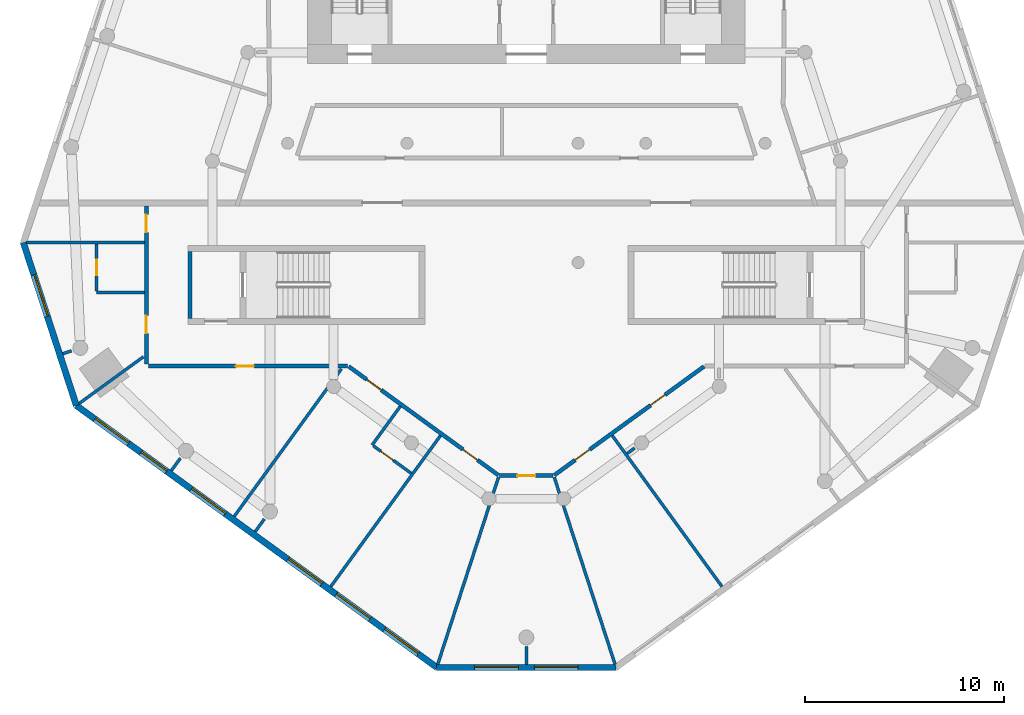
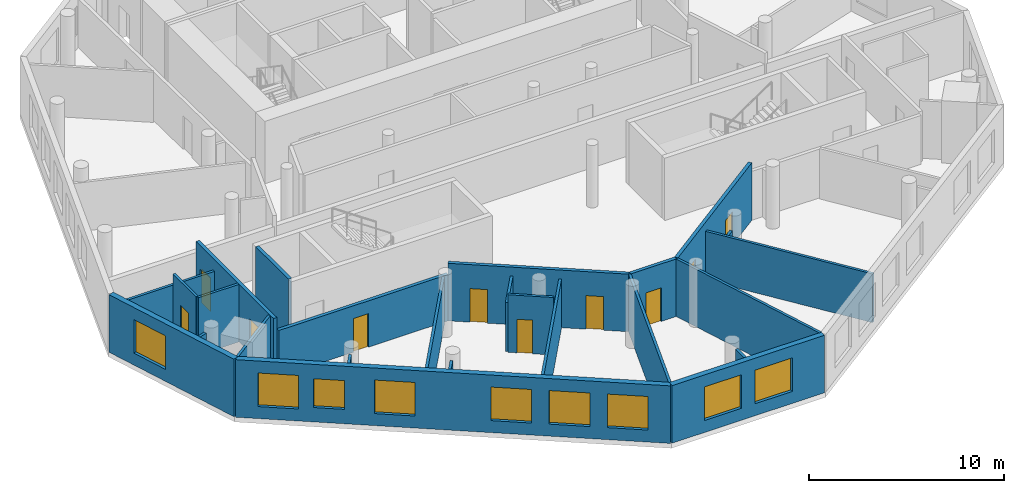
# One storey, part 2 of 8: 25 walls, 10 doors, 9 windows, 19 openings.
"""IFC4 building model written with IfcOpenShell, lengths in metres."""

from ifc_helpers import new_model, si_unit, direction, frame, frame_2d, origin, place, context, subcontext, project, spatial, rectangle, extrude, material, layer, layer_set, type_object, element, fill, save


model = new_model("IFC4")

# Units and contexts
model_context = context("Model", 3, precision=1e-05, world=origin(), true_north=direction((0.0, 1.0)))
body_context = subcontext(model_context, "Body", "Model", "MODEL_VIEW")
ifc_project = project(units=[si_unit("LENGTHUNIT", "METRE"), si_unit("AREAUNIT", "SQUARE_METRE"), si_unit("VOLUMEUNIT", "CUBIC_METRE"), si_unit("PLANEANGLEUNIT", "RADIAN"), si_unit("MASSUNIT", "GRAM", prefix="KILO")], contexts=[model_context])

# Site, building, storey
site_placement = place(None, origin())
site = spatial("IfcSite", under=ifc_project, at=site_placement, CompositionType="ELEMENT")
building_placement = place(site_placement, origin())
building = spatial("IfcBuilding", under=site, at=building_placement, Name="White Candle Pilgrim Tower", CompositionType="ELEMENT")
storey_placement = place(building_placement, frame((0.0, 0.0, 152.5)))
storey = spatial("IfcBuildingStorey", under=building, at=storey_placement, Name="L34", CompositionType="ELEMENT", Elevation=152.5)

# Wall
ifc_material_1 = material(Name="Concrete C60/75", Category="concrete")
ifc_layer_1 = layer(ifc_material_1, 0.199951171875)
ifc_layer_set_1 = layer_set([ifc_layer_1], Name="Core wall 200 mm Concrete C60/75")
wall_type_1 = type_object("IfcWallType", Name="Core wall 200 mm Concrete C60/75", PredefinedType="SHEAR", material=ifc_layer_set_1)
wall_1_placement = place(storey_placement, frame((53.10009765625, 58.199951171875, 0.0), z_axis=(0.0, 0.0, 1.0), x_axis=(0.0, 1.0, 0.0)))
element("IfcWall", 1, at=wall_1_placement, inside=storey, type_object=wall_type_1, Name="WL-L34-C03", PredefinedType="SHEAR", context=body_context, shape_type="SweptSolid", body=[
    extrude(rectangle(XDim=3.35009765625, YDim=0.199951171875, at=frame_2d((1.675048828125, 0.0))), origin(), (0.0, 0.0, 1.0), 3.89990234375),
])

# Wall, openings, doors
ifc_material_2 = material(Name="Gypsum board on steel studs", Category="steel")
ifc_layer_2 = layer(ifc_material_2, 0.199951171875)
ifc_layer_set_2 = layer_set([ifc_layer_2], Name="Corridor wall 200 mm EI 45")
wall_type_2 = type_object("IfcWallType", Name="Corridor wall 200 mm EI 45", PredefinedType="PARTITIONING", material=ifc_layer_set_2)
wall_2_placement = place(storey_placement, frame((78.93017578125, 55.781005859375, 0.0), z_axis=(0.0, 0.0, 1.0), x_axis=(-0.809011649892, -0.587792608272, 0.0)))
wall_2 = element("IfcWall", 2, at=wall_2_placement, inside=storey, type_object=wall_type_2, Name="WL-L34-P008", PredefinedType="PARTITIONING", context=body_context, shape_type="SweptSolid", body=[
    extrude(rectangle(XDim=9.306884765625, YDim=0.199951171875, at=frame_2d((4.6533203125, 0.0))), origin(), (0.0, 0.0, 1.0), 3.60009765625),
])
opening_1_placement = place(wall_2_placement, frame((7.10693359375, 0.0, 0.0)))
opening_1 = element("IfcOpeningElement", 3, at=opening_1_placement, cuts=wall_2, Name="Opening T10-108", PredefinedType="OPENING", context=body_context, shape_type="SweptSolid", body=[
    extrude(rectangle(XDim=0.89990234375, YDim=2.10009765625, at=frame_2d((0.449951171875, 1.050048828125))), frame((0.0, 0.10986328125, 0.0), z_axis=(0.0, -1.0, 0.0), x_axis=(1.0, 0.0, 0.0)), (0.0, 0.0, 1.0), 0.219970703125),
])
opening_2_placement = place(wall_2_placement, frame((2.421142578125, 0.0, 0.0)))
opening_2 = element("IfcOpeningElement", 4, at=opening_2_placement, cuts=wall_2, Name="Opening T10-109", PredefinedType="OPENING", context=body_context, shape_type="SweptSolid", body=[
    extrude(rectangle(XDim=0.89990234375, YDim=2.10009765625, at=frame_2d((0.449951171875, 1.050048828125))), frame((0.0, 0.10986328125, 0.0), z_axis=(0.0, -1.0, 0.0), x_axis=(1.0, 0.0, 0.0)), (0.0, 0.0, 1.0), 0.219970703125),
])
ifc_material_3 = material(Name="Steel door leaf", Category="steel")
door_type_1 = type_object("IfcDoorType", Name="Fire door 900 x 2100 EI 30", OperationType="NOTDEFINED", PredefinedType="DOOR", material=ifc_material_3)
door_1_placement = place(opening_1_placement, origin())
door_1 = element("IfcDoor", 5, at=door_1_placement, inside=storey, type_object=door_type_1, Name="Door T10-108", OperationType="SINGLE_SWING_RIGHT", OverallHeight=2.10009765625, OverallWidth=0.89990234375, PredefinedType="DOOR", context=body_context, shape_type="SweptSolid", body=[
    extrude(rectangle(XDim=0.89990234375, YDim=2.10009765625, at=frame_2d((0.449951171875, 1.050048828125))), frame((0.0, 0.02490234375, 0.0), z_axis=(0.0, -1.0, 0.0), x_axis=(1.0, 0.0, 0.0)), (0.0, 0.0, 1.0), 0.050048828125),
])
fill(opening_1, door_1)
door_2_placement = place(opening_2_placement, origin())
door_2 = element("IfcDoor", 6, at=door_2_placement, inside=storey, type_object=door_type_1, Name="Door T10-109", OperationType="SINGLE_SWING_LEFT", OverallHeight=2.10009765625, OverallWidth=0.89990234375, PredefinedType="DOOR", context=body_context, shape_type="SweptSolid", body=[
    extrude(rectangle(XDim=0.89990234375, YDim=2.10009765625, at=frame_2d((0.449951171875, 1.050048828125))), frame((0.0, 0.02490234375, 0.0), z_axis=(0.0, -1.0, 0.0), x_axis=(1.0, 0.0, 0.0)), (0.0, 0.0, 1.0), 0.050048828125),
])
fill(opening_2, door_2)

# Wall, opening, door
wall_3_placement = place(storey_placement, frame((71.342041015625, 50.29150390625, 0.0), z_axis=(0.0, 0.0, 1.0), x_axis=(-1.0, 0.0, 0.0)))
wall_3 = element("IfcWall", 7, at=wall_3_placement, inside=storey, type_object=wall_type_2, Name="WL-L34-P009", PredefinedType="PARTITIONING", context=body_context, shape_type="SweptSolid", body=[
    extrude(rectangle(XDim=2.68408203125, YDim=0.199951171875, at=frame_2d((1.342041015625, 0.0))), origin(), (0.0, 0.0, 1.0), 3.60009765625),
])
opening_3_placement = place(wall_3_placement, frame((0.89208984375, 0.0, 0.0)))
opening_3 = element("IfcOpeningElement", 8, at=opening_3_placement, cuts=wall_3, Name="Opening T10-107", PredefinedType="OPENING", context=body_context, shape_type="SweptSolid", body=[
    extrude(rectangle(XDim=0.89990234375, YDim=2.10009765625, at=frame_2d((0.449951171875, 1.050048828125))), frame((0.0, 0.10986328125, 0.0), z_axis=(0.0, -1.0, 0.0), x_axis=(1.0, 0.0, 0.0)), (0.0, 0.0, 1.0), 0.219970703125),
])
door_3_placement = place(opening_3_placement, origin())
door_3 = element("IfcDoor", 9, at=door_3_placement, inside=storey, type_object=door_type_1, Name="Door T10-107", OperationType="SINGLE_SWING_LEFT", OverallHeight=2.10009765625, OverallWidth=0.89990234375, PredefinedType="DOOR", context=body_context, shape_type="SweptSolid", body=[
    extrude(rectangle(XDim=0.89990234375, YDim=2.10009765625, at=frame_2d((0.449951171875, 1.050048828125))), frame((0.0, 0.02490234375, 0.0), z_axis=(0.0, -1.0, 0.0), x_axis=(1.0, 0.0, 0.0)), (0.0, 0.0, 1.0), 0.050048828125),
])
fill(opening_3, door_3)

# Wall, openings, doors
wall_4_placement = place(storey_placement, frame((68.59912109375, 50.310546875, 0.0), z_axis=(0.0, 0.0, 1.0), x_axis=(-0.809011649892, 0.587792608272, 0.0)))
wall_4 = element("IfcWall", 10, at=wall_4_placement, inside=storey, type_object=wall_type_2, Name="WL-L34-P010", PredefinedType="PARTITIONING", context=body_context, shape_type="SweptSolid", body=[
    extrude(rectangle(XDim=9.306884765625, YDim=0.199951171875, at=frame_2d((4.6533203125, 0.0))), origin(), (0.0, 0.0, 1.0), 3.60009765625),
])
opening_4_placement = place(wall_4_placement, frame((7.285400390625, 0.0, 0.0)))
opening_4 = element("IfcOpeningElement", 11, at=opening_4_placement, cuts=wall_4, Name="Opening T10-105", PredefinedType="OPENING", context=body_context, shape_type="SweptSolid", body=[
    extrude(rectangle(XDim=0.89990234375, YDim=2.10009765625, at=frame_2d((0.449951171875, 1.050048828125))), frame((0.0, 0.10986328125, 0.0), z_axis=(0.0, -1.0, 0.0), x_axis=(1.0, 0.0, 0.0)), (0.0, 0.0, 1.0), 0.219970703125),
])
opening_5_placement = place(wall_4_placement, frame((1.299560546875, 0.0, 0.0)))
opening_5 = element("IfcOpeningElement", 12, at=opening_5_placement, cuts=wall_4, Name="Opening T10-106", PredefinedType="OPENING", context=body_context, shape_type="SweptSolid", body=[
    extrude(rectangle(XDim=0.89990234375, YDim=2.10009765625, at=frame_2d((0.449951171875, 1.050048828125))), frame((0.0, 0.10986328125, 0.0), z_axis=(0.0, -1.0, 0.0), x_axis=(1.0, 0.0, 0.0)), (0.0, 0.0, 1.0), 0.219970703125),
])
door_4_placement = place(opening_4_placement, origin())
door_4 = element("IfcDoor", 13, at=door_4_placement, inside=storey, type_object=door_type_1, Name="Door T10-105", OperationType="SINGLE_SWING_LEFT", OverallHeight=2.10009765625, OverallWidth=0.89990234375, PredefinedType="DOOR", context=body_context, shape_type="SweptSolid", body=[
    extrude(rectangle(XDim=0.89990234375, YDim=2.10009765625, at=frame_2d((0.449951171875, 1.050048828125))), frame((0.0, 0.02490234375, 0.0), z_axis=(0.0, -1.0, 0.0), x_axis=(1.0, 0.0, 0.0)), (0.0, 0.0, 1.0), 0.050048828125),
])
fill(opening_4, door_4)
door_5_placement = place(opening_5_placement, origin())
door_5 = element("IfcDoor", 14, at=door_5_placement, inside=storey, type_object=door_type_1, Name="Door T10-106", OperationType="SINGLE_SWING_RIGHT", OverallHeight=2.10009765625, OverallWidth=0.89990234375, PredefinedType="DOOR", context=body_context, shape_type="SweptSolid", body=[
    extrude(rectangle(XDim=0.89990234375, YDim=2.10009765625, at=frame_2d((0.449951171875, 1.050048828125))), frame((0.0, 0.02490234375, 0.0), z_axis=(0.0, -1.0, 0.0), x_axis=(1.0, 0.0, 0.0)), (0.0, 0.0, 1.0), 0.050048828125),
])
fill(opening_5, door_5)

# Wall, opening, door
wall_5_placement = place(storey_placement, frame((61.010986328125, 55.800048828125, 0.0), z_axis=(0.0, 0.0, 1.0), x_axis=(-1.0, 0.0, 0.0)))
wall_5 = element("IfcWall", 15, at=wall_5_placement, inside=storey, type_object=wall_type_2, Name="WL-L34-P011", PredefinedType="PARTITIONING", context=body_context, shape_type="SweptSolid", body=[
    extrude(rectangle(XDim=10.010986328125, YDim=0.199951171875, at=frame_2d((5.00537109375, 0.0))), origin(), (0.0, 0.0, 1.0), 2.89990234375),
])
opening_6_placement = place(wall_5_placement, frame((4.70849609375, 0.0, 0.0)))
opening_6 = element("IfcOpeningElement", 16, at=opening_6_placement, cuts=wall_5, Name="Opening T10-103", PredefinedType="OPENING", context=body_context, shape_type="SweptSolid", body=[
    extrude(rectangle(XDim=0.89990234375, YDim=2.10009765625, at=frame_2d((0.449951171875, 1.050048828125))), frame((0.0, 0.10986328125, 0.0), z_axis=(0.0, -1.0, 0.0), x_axis=(1.0, 0.0, 0.0)), (0.0, 0.0, 1.0), 0.219970703125),
])
door_6_placement = place(opening_6_placement, origin())
door_6 = element("IfcDoor", 17, at=door_6_placement, inside=storey, type_object=door_type_1, Name="Door T10-103", OperationType="SINGLE_SWING_LEFT", OverallHeight=2.10009765625, OverallWidth=0.89990234375, PredefinedType="DOOR", context=body_context, shape_type="SweptSolid", body=[
    extrude(rectangle(XDim=0.89990234375, YDim=2.10009765625, at=frame_2d((0.449951171875, 1.050048828125))), frame((0.0, 0.02490234375, 0.0), z_axis=(0.0, -1.0, 0.0), x_axis=(1.0, 0.0, 0.0)), (0.0, 0.0, 1.0), 0.050048828125),
])
fill(opening_6, door_6)

# Wall, openings, doors
wall_6_placement = place(storey_placement, frame((50.89990234375, 55.89990234375, 0.0), z_axis=(0.0, 0.0, 1.0), x_axis=(0.0, 1.0, 0.0)))
wall_6 = element("IfcWall", 18, at=wall_6_placement, inside=storey, type_object=wall_type_2, Name="WL-L34-P012", PredefinedType="PARTITIONING", context=body_context, shape_type="SweptSolid", body=[
    extrude(rectangle(XDim=7.9501953125, YDim=0.199951171875, at=frame_2d((3.97509765625, 0.0))), origin(), (0.0, 0.0, 1.0), 3.60009765625),
])
opening_7_placement = place(wall_6_placement, frame((1.537841796875, 0.0, 0.0)))
opening_7 = element("IfcOpeningElement", 19, at=opening_7_placement, cuts=wall_6, Name="Opening T10-102", PredefinedType="OPENING", context=body_context, shape_type="SweptSolid", body=[
    extrude(rectangle(XDim=0.89990234375, YDim=2.10009765625, at=frame_2d((0.449951171875, 1.050048828125))), frame((0.0, 0.10986328125, 0.0), z_axis=(0.0, -1.0, 0.0), x_axis=(1.0, 0.0, 0.0)), (0.0, 0.0, 1.0), 0.219970703125),
])
opening_8_placement = place(wall_6_placement, frame((6.613525390625, 0.0, 0.0)))
opening_8 = element("IfcOpeningElement", 20, at=opening_8_placement, cuts=wall_6, Name="Opening T10-117", PredefinedType="OPENING", context=body_context, shape_type="SweptSolid", body=[
    extrude(rectangle(XDim=0.89990234375, YDim=2.10009765625, at=frame_2d((0.449951171875, 1.050048828125))), frame((0.0, 0.10986328125, 0.0), z_axis=(0.0, -1.0, 0.0), x_axis=(1.0, 0.0, 0.0)), (0.0, 0.0, 1.0), 0.219970703125),
])
door_7_placement = place(opening_7_placement, origin())
door_7 = element("IfcDoor", 21, at=door_7_placement, inside=storey, type_object=door_type_1, Name="Door T10-102", OperationType="SINGLE_SWING_RIGHT", OverallHeight=2.10009765625, OverallWidth=0.89990234375, PredefinedType="DOOR", context=body_context, shape_type="SweptSolid", body=[
    extrude(rectangle(XDim=0.89990234375, YDim=2.10009765625, at=frame_2d((0.449951171875, 1.050048828125))), frame((0.0, 0.02490234375, 0.0), z_axis=(0.0, -1.0, 0.0), x_axis=(1.0, 0.0, 0.0)), (0.0, 0.0, 1.0), 0.050048828125),
])
fill(opening_7, door_7)
door_8_placement = place(opening_8_placement, origin())
door_8 = element("IfcDoor", 22, at=door_8_placement, inside=storey, type_object=door_type_1, Name="Door T10-117", OperationType="SINGLE_SWING_LEFT", OverallHeight=2.10009765625, OverallWidth=0.89990234375, PredefinedType="DOOR", context=body_context, shape_type="SweptSolid", body=[
    extrude(rectangle(XDim=0.89990234375, YDim=2.10009765625, at=frame_2d((0.449951171875, 1.050048828125))), frame((0.0, 0.02490234375, 0.0), z_axis=(0.0, -1.0, 0.0), x_axis=(1.0, 0.0, 0.0)), (0.0, 0.0, 1.0), 0.050048828125),
])
fill(opening_8, door_8)

# Wall, opening, window
ifc_material_4 = material(Name="Precast concrete C40/50", Category="concrete")
ifc_layer_3 = layer(ifc_material_4, 0.320068359375)
ifc_layer_set_3 = layer_set([ifc_layer_3], Name="Facade wall EW1 precast concrete C40/50 pier wall with timber-lined reveals")
wall_type_3 = type_object("IfcWallType", Name="Facade wall EW1 precast concrete C40/50 pier wall with timber-lined reveals", PredefinedType="SOLIDWALL", material=ifc_layer_set_3)
wall_7_placement = place(storey_placement, frame((44.716064453125, 62.002197265625, 0.0), z_axis=(0.0, 0.0, 1.0), x_axis=(0.309030288319, -0.951052196728, 0.0)))
wall_7 = element("IfcWall", 23, at=wall_7_placement, inside=storey, type_object=wall_type_3, Name="Facade wall L34 W chamfer", PredefinedType="SOLIDWALL", context=body_context, shape_type="SweptSolid", body=[
    extrude(rectangle(XDim=8.609619140625, YDim=0.320068359375, at=frame_2d((4.3046875, 0.0))), origin(), (0.0, 0.0, 1.0), 3.60009765625),
])
opening_9_placement = place(wall_7_placement, frame((1.704833984375, 0.0, 0.75)))
opening_9 = element("IfcOpeningElement", 24, at=opening_9_placement, cuts=wall_7, Name="Opening W4", PredefinedType="OPENING", context=body_context, shape_type="SweptSolid", body=[
    extrude(rectangle(XDim=2.199951171875, YDim=2.10009765625, at=frame_2d((1.10009765625, 1.050048828125))), frame((0.0, 0.169921875, 0.0), z_axis=(0.0, -1.0, 0.0), x_axis=(1.0, 0.0, 0.0)), (0.0, 0.0, 1.0), 0.340087890625),
])
ifc_material_5 = material(Name="Timber frame with triple glazing", Category="wood")
window_type_1 = type_object("IfcWindowType", Name="Window W4 2200x2100 timber frame triple glazing", PartitioningType="SINGLE_PANEL", PredefinedType="WINDOW", material=ifc_material_5)
window_1_placement = place(opening_9_placement, origin())
window_1 = element("IfcWindow", 25, at=window_1_placement, inside=storey, type_object=window_type_1, Name="Window W4 L34 W chamfer 1", OverallHeight=2.10009765625, OverallWidth=2.199951171875, PartitioningType="SINGLE_PANEL", PredefinedType="WINDOW", context=body_context, shape_type="SweptSolid", body=[
    extrude(rectangle(XDim=2.199951171875, YDim=2.10009765625, at=frame_2d((1.10009765625, 1.050048828125))), frame((0.0, 0.070068359375, 0.0), z_axis=(0.0, -1.0, 0.0), x_axis=(1.0, 0.0, 0.0)), (0.0, 0.0, 1.0), 0.06005859375),
])
fill(opening_9, window_1)

# Wall, openings, windows
wall_8_placement = place(storey_placement, frame((47.376708984375, 53.81396484375, 0.0), z_axis=(0.0, 0.0, 1.0), x_axis=(0.809012267685, -0.587791757968, 0.0)))
wall_8 = element("IfcWall", 26, at=wall_8_placement, inside=storey, type_object=wall_type_3, Name="Facade wall L34 SW", PredefinedType="SOLIDWALL", context=body_context, shape_type="SweptSolid", body=[
    extrude(rectangle(XDim=22.393310546875, YDim=0.320068359375, at=frame_2d((11.19677734375, 0.0))), origin(), (0.0, 0.0, 1.0), 3.60009765625),
])
opening_10_placement = place(wall_8_placement, frame((1.146484375, 0.0, 0.75)))
opening_10 = element("IfcOpeningElement", 27, at=opening_10_placement, cuts=wall_8, Name="Opening W3", PredefinedType="OPENING", context=body_context, shape_type="SweptSolid", body=[
    extrude(rectangle(XDim=2.10009765625, YDim=2.10009765625, at=frame_2d((1.050048828125, 1.050048828125))), frame((0.0, 0.169921875, 0.0), z_axis=(0.0, -1.0, 0.0), x_axis=(1.0, 0.0, 0.0)), (0.0, 0.0, 1.0), 0.340087890625),
])
opening_11_placement = place(wall_8_placement, frame((4.012451171875, 0.0, 0.89990234375)))
opening_11 = element("IfcOpeningElement", 28, at=opening_11_placement, cuts=wall_8, Name="Opening W2", PredefinedType="OPENING", context=body_context, shape_type="SweptSolid", body=[
    extrude(rectangle(XDim=1.60009765625, YDim=1.800048828125, at=frame_2d((0.800048828125, 0.89990234375))), frame((0.0, 0.169921875, 0.0), z_axis=(0.0, -1.0, 0.0), x_axis=(1.0, 0.0, 0.0)), (0.0, 0.0, 1.0), 0.340087890625),
])
opening_12_placement = place(wall_8_placement, frame((7.146484375, 0.0, 0.75)))
opening_12 = element("IfcOpeningElement", 29, at=opening_12_placement, cuts=wall_8, Name="Opening W3", PredefinedType="OPENING", context=body_context, shape_type="SweptSolid", body=[
    extrude(rectangle(XDim=2.10009765625, YDim=2.10009765625, at=frame_2d((1.050048828125, 1.050048828125))), frame((0.0, 0.169921875, 0.0), z_axis=(0.0, -1.0, 0.0), x_axis=(1.0, 0.0, 0.0)), (0.0, 0.0, 1.0), 0.340087890625),
])
opening_13_placement = place(wall_8_placement, frame((13.146484375, 0.0, 0.75)))
opening_13 = element("IfcOpeningElement", 30, at=opening_13_placement, cuts=wall_8, Name="Opening W3", PredefinedType="OPENING", context=body_context, shape_type="SweptSolid", body=[
    extrude(rectangle(XDim=2.10009765625, YDim=2.10009765625, at=frame_2d((1.050048828125, 1.050048828125))), frame((0.0, 0.169921875, 0.0), z_axis=(0.0, -1.0, 0.0), x_axis=(1.0, 0.0, 0.0)), (0.0, 0.0, 1.0), 0.340087890625),
])
opening_14_placement = place(wall_8_placement, frame((16.146484375, 0.0, 0.75)))
opening_14 = element("IfcOpeningElement", 31, at=opening_14_placement, cuts=wall_8, Name="Opening W3", PredefinedType="OPENING", context=body_context, shape_type="SweptSolid", body=[
    extrude(rectangle(XDim=2.10009765625, YDim=2.10009765625, at=frame_2d((1.050048828125, 1.050048828125))), frame((0.0, 0.169921875, 0.0), z_axis=(0.0, -1.0, 0.0), x_axis=(1.0, 0.0, 0.0)), (0.0, 0.0, 1.0), 0.340087890625),
])
opening_15_placement = place(wall_8_placement, frame((19.146484375, 0.0, 0.75)))
opening_15 = element("IfcOpeningElement", 32, at=opening_15_placement, cuts=wall_8, Name="Opening W3", PredefinedType="OPENING", context=body_context, shape_type="SweptSolid", body=[
    extrude(rectangle(XDim=2.10009765625, YDim=2.10009765625, at=frame_2d((1.050048828125, 1.050048828125))), frame((0.0, 0.169921875, 0.0), z_axis=(0.0, -1.0, 0.0), x_axis=(1.0, 0.0, 0.0)), (0.0, 0.0, 1.0), 0.340087890625),
])
window_type_2 = type_object("IfcWindowType", Name="Window W2 1600x1800 timber frame triple glazing", PartitioningType="SINGLE_PANEL", PredefinedType="WINDOW", material=ifc_material_5)
window_2_placement = place(opening_11_placement, origin())
window_2 = element("IfcWindow", 33, at=window_2_placement, inside=storey, type_object=window_type_2, Name="Window W2 L34 SW 2", OverallHeight=1.800048828125, OverallWidth=1.60009765625, PartitioningType="SINGLE_PANEL", PredefinedType="WINDOW", context=body_context, shape_type="SweptSolid", body=[
    extrude(rectangle(XDim=1.60009765625, YDim=1.800048828125, at=frame_2d((0.800048828125, 0.89990234375))), frame((0.0, 0.070068359375, 0.0), z_axis=(0.0, -1.0, 0.0), x_axis=(1.0, 0.0, 0.0)), (0.0, 0.0, 1.0), 0.06005859375),
])
fill(opening_11, window_2)
window_type_3 = type_object("IfcWindowType", Name="Window W3 2100x2100 timber frame triple glazing", PartitioningType="SINGLE_PANEL", PredefinedType="WINDOW", material=ifc_material_5)
window_3_placement = place(opening_10_placement, origin())
window_3 = element("IfcWindow", 34, at=window_3_placement, inside=storey, type_object=window_type_3, Name="Window W3 L34 SW 1", OverallHeight=2.10009765625, OverallWidth=2.10009765625, PartitioningType="SINGLE_PANEL", PredefinedType="WINDOW", context=body_context, shape_type="SweptSolid", body=[
    extrude(rectangle(XDim=2.10009765625, YDim=2.10009765625, at=frame_2d((1.050048828125, 1.050048828125))), frame((0.0, 0.070068359375, 0.0), z_axis=(0.0, -1.0, 0.0), x_axis=(1.0, 0.0, 0.0)), (0.0, 0.0, 1.0), 0.06005859375),
])
fill(opening_10, window_3)
window_4_placement = place(opening_12_placement, origin())
window_4 = element("IfcWindow", 35, at=window_4_placement, inside=storey, type_object=window_type_3, Name="Window W3 L34 SW 3", OverallHeight=2.10009765625, OverallWidth=2.10009765625, PartitioningType="SINGLE_PANEL", PredefinedType="WINDOW", context=body_context, shape_type="SweptSolid", body=[
    extrude(rectangle(XDim=2.10009765625, YDim=2.10009765625, at=frame_2d((1.050048828125, 1.050048828125))), frame((0.0, 0.070068359375, 0.0), z_axis=(0.0, -1.0, 0.0), x_axis=(1.0, 0.0, 0.0)), (0.0, 0.0, 1.0), 0.06005859375),
])
fill(opening_12, window_4)
window_5_placement = place(opening_13_placement, origin())
window_5 = element("IfcWindow", 36, at=window_5_placement, inside=storey, type_object=window_type_3, Name="Window W3 L34 SW 5", OverallHeight=2.10009765625, OverallWidth=2.10009765625, PartitioningType="SINGLE_PANEL", PredefinedType="WINDOW", context=body_context, shape_type="SweptSolid", body=[
    extrude(rectangle(XDim=2.10009765625, YDim=2.10009765625, at=frame_2d((1.050048828125, 1.050048828125))), frame((0.0, 0.070068359375, 0.0), z_axis=(0.0, -1.0, 0.0), x_axis=(1.0, 0.0, 0.0)), (0.0, 0.0, 1.0), 0.06005859375),
])
fill(opening_13, window_5)
window_6_placement = place(opening_14_placement, origin())
window_6 = element("IfcWindow", 37, at=window_6_placement, inside=storey, type_object=window_type_3, Name="Window W3 L34 SW 6", OverallHeight=2.10009765625, OverallWidth=2.10009765625, PartitioningType="SINGLE_PANEL", PredefinedType="WINDOW", context=body_context, shape_type="SweptSolid", body=[
    extrude(rectangle(XDim=2.10009765625, YDim=2.10009765625, at=frame_2d((1.050048828125, 1.050048828125))), frame((0.0, 0.070068359375, 0.0), z_axis=(0.0, -1.0, 0.0), x_axis=(1.0, 0.0, 0.0)), (0.0, 0.0, 1.0), 0.06005859375),
])
fill(opening_14, window_6)
window_7_placement = place(opening_15_placement, origin())
window_7 = element("IfcWindow", 38, at=window_7_placement, inside=storey, type_object=window_type_3, Name="Window W3 L34 SW 7", OverallHeight=2.10009765625, OverallWidth=2.10009765625, PartitioningType="SINGLE_PANEL", PredefinedType="WINDOW", context=body_context, shape_type="SweptSolid", body=[
    extrude(rectangle(XDim=2.10009765625, YDim=2.10009765625, at=frame_2d((1.050048828125, 1.050048828125))), frame((0.0, 0.070068359375, 0.0), z_axis=(0.0, -1.0, 0.0), x_axis=(1.0, 0.0, 0.0)), (0.0, 0.0, 1.0), 0.06005859375),
])
fill(opening_15, window_7)

wall_9_placement = place(storey_placement, frame((65.4931640625, 40.6513671875, 0.0), z_axis=(0.0, 0.0, 1.0), x_axis=(1.0, 0.0, 0.0)))
wall_9 = element("IfcWall", 39, at=wall_9_placement, inside=storey, type_object=wall_type_3, Name="Facade wall L34 S chamfer", PredefinedType="SOLIDWALL", context=body_context, shape_type="SweptSolid", body=[
    extrude(rectangle(XDim=9.013671875, YDim=0.320068359375, at=frame_2d((4.5068359375, 0.0))), origin(), (0.0, 0.0, 1.0), 3.60009765625),
])
opening_16_placement = place(wall_9_placement, frame((1.90673828125, 0.0, 0.75)))
opening_16 = element("IfcOpeningElement", 40, at=opening_16_placement, cuts=wall_9, Name="Opening W4", PredefinedType="OPENING", context=body_context, shape_type="SweptSolid", body=[
    extrude(rectangle(XDim=2.199951171875, YDim=2.10009765625, at=frame_2d((1.10009765625, 1.050048828125))), frame((0.0, 0.169921875, 0.0), z_axis=(0.0, -1.0, 0.0), x_axis=(1.0, 0.0, 0.0)), (0.0, 0.0, 1.0), 0.340087890625),
])
opening_17_placement = place(wall_9_placement, frame((4.90673828125, 0.0, 0.75)))
opening_17 = element("IfcOpeningElement", 41, at=opening_17_placement, cuts=wall_9, Name="Opening W4", PredefinedType="OPENING", context=body_context, shape_type="SweptSolid", body=[
    extrude(rectangle(XDim=2.199951171875, YDim=2.10009765625, at=frame_2d((1.10009765625, 1.050048828125))), frame((0.0, 0.169921875, 0.0), z_axis=(0.0, -1.0, 0.0), x_axis=(1.0, 0.0, 0.0)), (0.0, 0.0, 1.0), 0.340087890625),
])
window_8_placement = place(opening_16_placement, origin())
window_8 = element("IfcWindow", 42, at=window_8_placement, inside=storey, type_object=window_type_1, Name="Window W4 L34 S chamfer 1", OverallHeight=2.10009765625, OverallWidth=2.199951171875, PartitioningType="SINGLE_PANEL", PredefinedType="WINDOW", context=body_context, shape_type="SweptSolid", body=[
    extrude(rectangle(XDim=2.199951171875, YDim=2.10009765625, at=frame_2d((1.10009765625, 1.050048828125))), frame((0.0, 0.070068359375, 0.0), z_axis=(0.0, -1.0, 0.0), x_axis=(1.0, 0.0, 0.0)), (0.0, 0.0, 1.0), 0.06005859375),
])
fill(opening_16, window_8)
window_9_placement = place(opening_17_placement, origin())
window_9 = element("IfcWindow", 43, at=window_9_placement, inside=storey, type_object=window_type_1, Name="Window W4 L34 S chamfer 2", OverallHeight=2.10009765625, OverallWidth=2.199951171875, PartitioningType="SINGLE_PANEL", PredefinedType="WINDOW", context=body_context, shape_type="SweptSolid", body=[
    extrude(rectangle(XDim=2.199951171875, YDim=2.10009765625, at=frame_2d((1.10009765625, 1.050048828125))), frame((0.0, 0.070068359375, 0.0), z_axis=(0.0, -1.0, 0.0), x_axis=(1.0, 0.0, 0.0)), (0.0, 0.0, 1.0), 0.06005859375),
])
fill(opening_17, window_9)

# Walls
ifc_layer_4 = layer(ifc_material_2, 0.14990234375)
ifc_layer_set_4 = layer_set([ifc_layer_4], Name="Partition 150 mm EI 60")
wall_type_4 = type_object("IfcWallType", Name="Partition 150 mm EI 60", PredefinedType="PARTITIONING", material=ifc_layer_set_4)
wall_10_placement = place(storey_placement, frame((44.884521484375, 62.002197265625, 0.0), z_axis=(0.0, 0.0, 1.0), x_axis=(1.0, 0.0, 0.0)))
element("IfcWall", 44, at=wall_10_placement, inside=storey, type_object=wall_type_4, Name="WL-L34-P018", PredefinedType="PARTITIONING", context=body_context, shape_type="SweptSolid", body=[
    extrude(rectangle(XDim=5.91552734375, YDim=0.14990234375, at=frame_2d((2.957763671875, 0.0))), origin(), (0.0, 0.0, 1.0), 2.89990234375),
])
wall_11_placement = place(storey_placement, frame((47.5126953125, 53.91259765625, 0.0), z_axis=(0.0, 0.0, 1.0), x_axis=(0.80899935581, 0.587809528928, 0.0)))
element("IfcWall", 45, at=wall_11_placement, inside=storey, type_object=wall_type_4, Name="WL-L34-P019", PredefinedType="PARTITIONING", context=body_context, shape_type="SweptSolid", body=[
    extrude(rectangle(XDim=4.0087890625, YDim=0.14990234375, at=frame_2d((2.00439453125, 0.0))), origin(), (0.0, 0.0, 1.0), 3.60009765625),
])
for number, where, z_axis, x_axis, name in (
    (46, (65.545166015625, 40.8115234375, 0.0), (0.0, 0.0, 1.0), (0.309015131176, 0.951057121683, 0.0), "WL-L34-P020"),
    (47, (74.454833984375, 40.8115234375, 0.0), (0.0, 0.0, 1.0), (-0.309015131176, 0.951057121683, 0.0), "WL-L34-P021"),
):
    element("IfcWall", number, at=place(storey_placement, frame(where, z_axis=z_axis, x_axis=x_axis)), inside=storey, type_object=wall_type_4, Name=name, PredefinedType="PARTITIONING", context=body_context, shape_type="SweptSolid", body=[
        extrude(rectangle(XDim=9.8828125, YDim=0.14990234375, at=frame_2d((4.94140625, 0.0))), origin(), (0.0, 0.0, 1.0), 3.60009765625),
    ])
wall_12_placement = place(storey_placement, frame((50.800048828125, 59.502197265625, 0.0), z_axis=(0.0, 0.0, 1.0), x_axis=(-1.0, 0.0, 0.0)))
element("IfcWall", 48, at=wall_12_placement, inside=storey, type_object=wall_type_4, Name="WL-L34-P026", PredefinedType="PARTITIONING", context=body_context, shape_type="SweptSolid", body=[
    extrude(rectangle(XDim=2.400146484375, YDim=0.14990234375, at=frame_2d((1.2001953125, 0.0))), origin(), (0.0, 0.0, 1.0), 3.60009765625),
])

# Wall, opening, door
wall_13_placement = place(storey_placement, frame((48.39990234375, 61.92724609375, 0.0), z_axis=(0.0, 0.0, 1.0), x_axis=(0.0, -1.0, 0.0)))
wall_13 = element("IfcWall", 49, at=wall_13_placement, inside=storey, type_object=wall_type_4, Name="WL-L34-P027", PredefinedType="PARTITIONING", context=body_context, shape_type="SweptSolid", body=[
    extrude(rectangle(XDim=2.35009765625, YDim=0.14990234375, at=frame_2d((1.175048828125, 0.0))), origin(), (0.0, 0.0, 1.0), 3.60009765625),
])
opening_18_placement = place(wall_13_placement, frame((0.77490234375, 0.0, 0.0)))
opening_18 = element("IfcOpeningElement", 50, at=opening_18_placement, cuts=wall_13, Name="Opening T10-101", PredefinedType="OPENING", context=body_context, shape_type="SweptSolid", body=[
    extrude(rectangle(XDim=0.800048828125, YDim=2.10009765625, at=frame_2d((0.39990234375, 1.050048828125))), frame((0.0, 0.0849609375, 0.0), z_axis=(0.0, -1.0, 0.0), x_axis=(1.0, 0.0, 0.0)), (0.0, 0.0, 1.0), 0.169921875),
])
door_type_2 = type_object("IfcDoorType", Name="Fire door 800 x 2100 EI 30", OperationType="NOTDEFINED", PredefinedType="DOOR", material=ifc_material_3)
door_9_placement = place(opening_18_placement, frame((0.800048828125, 0.0, 0.0), z_axis=(0.0, 0.0, 1.0), x_axis=(-1.0, 0.0, 0.0)))
door_9 = element("IfcDoor", 51, at=door_9_placement, inside=storey, type_object=door_type_2, Name="Door T10-101", OperationType="SINGLE_SWING_RIGHT", OverallHeight=2.10009765625, OverallWidth=0.800048828125, PredefinedType="DOOR", context=body_context, shape_type="SweptSolid", body=[
    extrude(rectangle(XDim=0.800048828125, YDim=2.10009765625, at=frame_2d((0.39990234375, 1.050048828125))), frame((0.0, 0.02490234375, 0.0), z_axis=(0.0, -1.0, 0.0), x_axis=(1.0, 0.0, 0.0)), (0.0, 0.0, 1.0), 0.050048828125),
])
fill(opening_18, door_9)

# Walls
wall_14_placement = place(storey_placement, frame((55.3154296875, 48.243896484375, 0.0), z_axis=(0.0, 0.0, 1.0), x_axis=(0.587788197188, 0.809014854775, 0.0)))
element("IfcWall", 52, at=wall_14_placement, inside=storey, type_object=wall_type_4, Name="WL-L34-P028", PredefinedType="PARTITIONING", context=body_context, shape_type="SweptSolid", body=[
    extrude(rectangle(XDim=9.161865234375, YDim=0.14990234375, at=frame_2d((4.5810546875, 0.0))), origin(), (0.0, 0.0, 1.0), 2.89990234375),
])
wall_15_placement = place(storey_placement, frame((60.169677734375, 44.717041015625, 0.0), z_axis=(0.0, 0.0, 1.0), x_axis=(0.587783184234, 0.809018496903, 0.0)))
element("IfcWall", 53, at=wall_15_placement, inside=storey, type_object=wall_type_4, Name="WL-L34-P029", PredefinedType="PARTITIONING", context=body_context, shape_type="SweptSolid", body=[
    extrude(rectangle(XDim=9.380126953125, YDim=0.14990234375, at=frame_2d((4.68994140625, 0.0))), origin(), (0.0, 0.0, 1.0), 3.050048828125),
])
wall_16_placement = place(storey_placement, frame((63.660400390625, 53.775146484375, 0.0), z_axis=(0.0, 0.0, 1.0), x_axis=(-0.587772420479, -0.809026317077, 0.0)))
element("IfcWall", 54, at=wall_16_placement, inside=storey, type_object=wall_type_4, Name="WL-L34-P030", PredefinedType="PARTITIONING", context=body_context, shape_type="SweptSolid", body=[
    extrude(rectangle(XDim=2.39990234375, YDim=0.14990234375, at=frame_2d((1.199951171875, 0.0))), origin(), (0.0, 0.0, 1.0), 3.050048828125),
])

# Wall, opening, door
wall_17_placement = place(storey_placement, frame((64.211669921875, 50.408203125, 0.0), z_axis=(0.0, 0.0, 1.0), x_axis=(-0.809081864303, 0.587695956133, 0.0)))
wall_17 = element("IfcWall", 55, at=wall_17_placement, inside=storey, type_object=wall_type_4, Name="WL-L34-P031", PredefinedType="PARTITIONING", context=body_context, shape_type="SweptSolid", body=[
    extrude(rectangle(XDim=2.35009765625, YDim=0.14990234375, at=frame_2d((1.175048828125, 0.0))), origin(), (0.0, 0.0, 1.0), 3.60009765625),
])
opening_19_placement = place(wall_17_placement, frame((1.10009765625, 0.0, 0.0)))
opening_19 = element("IfcOpeningElement", 56, at=opening_19_placement, cuts=wall_17, Name="Opening T10-104", PredefinedType="OPENING", context=body_context, shape_type="SweptSolid", body=[
    extrude(rectangle(XDim=0.800048828125, YDim=2.10009765625, at=frame_2d((0.39990234375, 1.050048828125))), frame((0.0, 0.0849609375, 0.0), z_axis=(0.0, -1.0, 0.0), x_axis=(1.0, 0.0, 0.0)), (0.0, 0.0, 1.0), 0.169921875),
])
door_10_placement = place(opening_19_placement, origin())
door_10 = element("IfcDoor", 57, at=door_10_placement, inside=storey, type_object=door_type_2, Name="Door T10-104", OperationType="SINGLE_SWING_RIGHT", OverallHeight=2.10009765625, OverallWidth=0.800048828125, PredefinedType="DOOR", context=body_context, shape_type="SweptSolid", body=[
    extrude(rectangle(XDim=0.800048828125, YDim=2.10009765625, at=frame_2d((0.39990234375, 1.050048828125))), frame((0.0, 0.02490234375, 0.0), z_axis=(0.0, -1.0, 0.0), x_axis=(1.0, 0.0, 0.0)), (0.0, 0.0, 1.0), 0.050048828125),
])
fill(opening_19, door_10)

# Walls
wall_18_placement = place(storey_placement, frame((79.830322265625, 44.717041015625, 0.0), z_axis=(0.0, 0.0, 1.0), x_axis=(-0.587783184234, 0.809018496903, 0.0)))
element("IfcWall", 58, at=wall_18_placement, inside=storey, type_object=wall_type_4, Name="WL-L34-P032", PredefinedType="PARTITIONING", context=body_context, shape_type="SweptSolid", body=[
    extrude(rectangle(XDim=9.380126953125, YDim=0.14990234375, at=frame_2d((4.68994140625, 0.0))), origin(), (0.0, 0.0, 1.0), 3.050048828125),
])
wall_19_placement = place(storey_placement, frame((47.138916015625, 56.56298828125, 0.0), z_axis=(0.0, 0.0, 1.0), x_axis=(-0.951130831717, -0.308788181377, 0.0)))
element("IfcWall", 59, at=wall_19_placement, inside=storey, type_object=wall_type_4, Name="WL-L34-P039", PredefinedType="PARTITIONING", context=body_context, shape_type="SweptSolid", body=[
    extrude(rectangle(XDim=0.46337890625, YDim=0.14990234375, at=frame_2d((0.231689453125, 0.0))), origin(), (0.0, 0.0, 1.0), 3.60009765625),
])
wall_20_placement = place(storey_placement, frame((52.609130859375, 51.16943359375, 0.0), z_axis=(0.0, 0.0, 1.0), x_axis=(-0.587647830105, -0.809116819609, 0.0)))
element("IfcWall", 60, at=wall_20_placement, inside=storey, type_object=wall_type_4, Name="WL-L34-P040", PredefinedType="PARTITIONING", context=body_context, shape_type="SweptSolid", body=[
    extrude(rectangle(XDim=0.776123046875, YDim=0.14990234375, at=frame_2d((0.38818359375, 0.0))), origin(), (0.0, 0.0, 1.0), 3.60009765625),
])
wall_21_placement = place(storey_placement, frame((56.8291015625, 48.109375, 0.0), z_axis=(0.0, 0.0, 1.0), x_axis=(-0.587725491082, -0.809060410064, 0.0)))
element("IfcWall", 61, at=wall_21_placement, inside=storey, type_object=wall_type_4, Name="WL-L34-P041", PredefinedType="PARTITIONING", context=body_context, shape_type="SweptSolid", body=[
    extrude(rectangle(XDim=0.781005859375, YDim=0.14990234375, at=frame_2d((0.390625, 0.0))), origin(), (0.0, 0.0, 1.0), 3.60009765625),
])
wall_22_placement = place(storey_placement, frame((70.002197265625, 41.695068359375, 0.0), z_axis=(0.0, 0.0, 1.0), x_axis=(0.0, -1.0, 0.0)))
element("IfcWall", 62, at=wall_22_placement, inside=storey, type_object=wall_type_4, Name="WL-L34-P042", PredefinedType="PARTITIONING", context=body_context, shape_type="SweptSolid", body=[
    extrude(rectangle(XDim=0.883544921875, YDim=0.14990234375, at=frame_2d((0.44189453125, 0.0))), origin(), (0.0, 0.0, 1.0), 3.60009765625),
])
wall_23_placement = place(storey_placement, frame((75.439208984375, 51.67431640625, 0.0), z_axis=(0.0, 0.0, 1.0), x_axis=(-0.808918948619, -0.587920177035, 0.0)))
element("IfcWall", 63, at=wall_23_placement, inside=storey, type_object=wall_type_4, Name="WL-L34-P045", PredefinedType="PARTITIONING", context=body_context, shape_type="SweptSolid", body=[
    extrude(rectangle(XDim=0.461669921875, YDim=0.14990234375, at=frame_2d((0.23095703125, 0.0))), origin(), (0.0, 0.0, 1.0), 3.050048828125),
])

save(model, "model.ifc")
